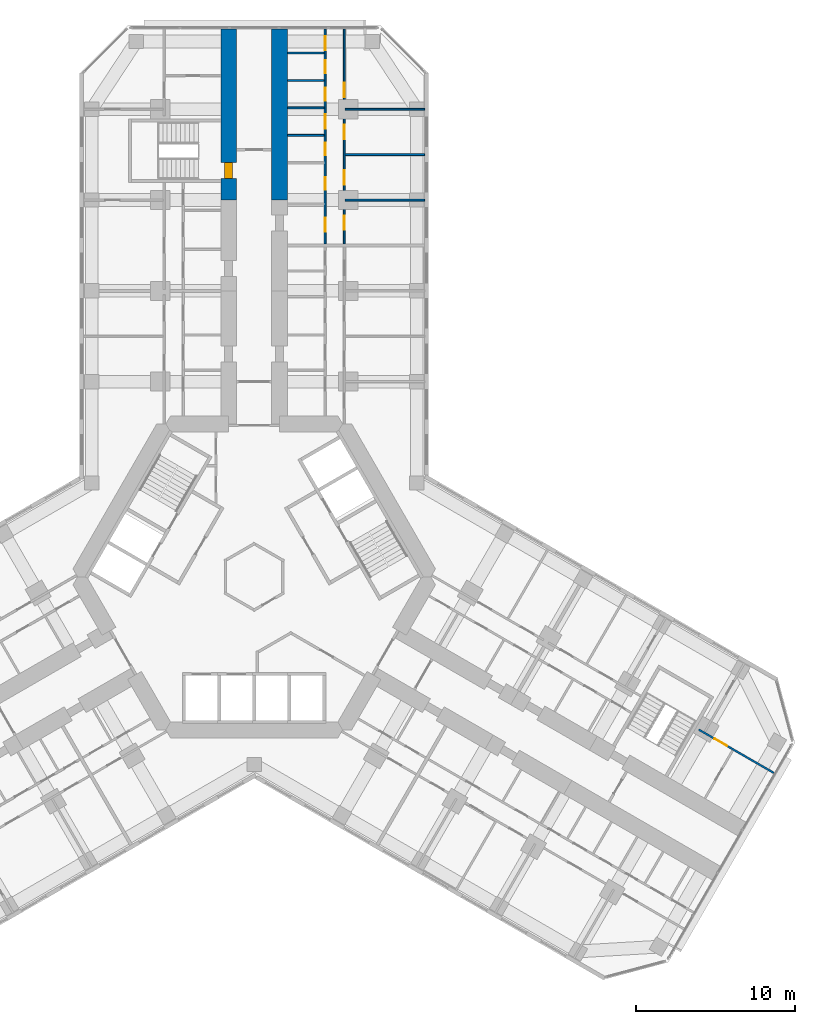
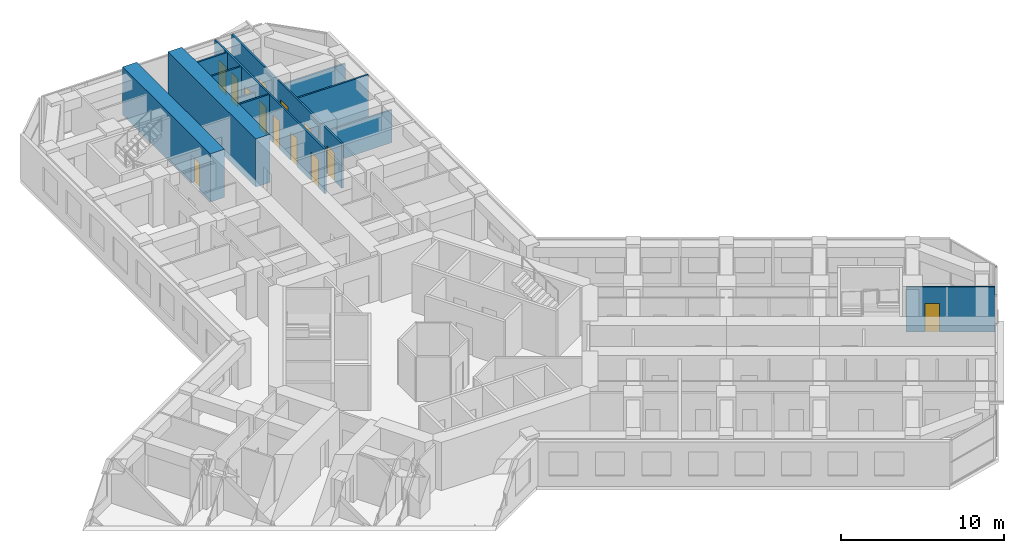
# One storey, part 19 of 21: 13 doors, 12 walls, 13 openings.
"""IFC4 building model written with IfcOpenShell, lengths in metres."""

from ifc_helpers import new_model, si_unit, direction, frame, frame_2d, origin, place, context, subcontext, project, spatial, rectangle, extrude, material, layer, layer_set, type_object, element, fill, save


model = new_model("IFC4")

# Units and contexts
model_context = context("Model", 3, precision=1e-05, world=origin(), true_north=direction((0.0, 1.0)))
body_context = subcontext(model_context, "Body", "Model", "MODEL_VIEW")
ifc_project = project(units=[si_unit("LENGTHUNIT", "METRE"), si_unit("AREAUNIT", "SQUARE_METRE"), si_unit("VOLUMEUNIT", "CUBIC_METRE"), si_unit("PLANEANGLEUNIT", "RADIAN"), si_unit("MASSUNIT", "GRAM", prefix="KILO")], contexts=[model_context])

# Site, building, storey
site_placement = place(None, origin())
site = spatial("IfcSite", under=ifc_project, at=site_placement, CompositionType="ELEMENT")
building_placement = place(site_placement, origin())
building = spatial("IfcBuilding", under=site, at=building_placement, Name="Kosmar Iwan School Tower", CompositionType="ELEMENT")
storey_placement = place(building_placement, frame((0.0, 0.0, 80.800048828125)))
storey = spatial("IfcBuildingStorey", under=building, at=storey_placement, Name="L19", CompositionType="ELEMENT", Elevation=80.800048828125)

# Wall, opening, door
ifc_material_1 = material(Name="Concrete C50/60", Category="concrete")
ifc_layer_1 = layer(ifc_material_1, 1.0)
ifc_layer_set_1 = layer_set([ifc_layer_1], Name="Corridor buttress wall 1000")
wall_type_1 = type_object("IfcWallType", Name="Corridor buttress wall 1000", PredefinedType="SHEAR", material=ifc_layer_set_1)
wall_1_placement = place(storey_placement, frame((-1.60009765625, 23.64990234375, 0.0), z_axis=(0.0, 0.0, 1.0), x_axis=(0.0, 1.0, 0.0)))
wall_1 = element("IfcWall", 1, at=wall_1_placement, inside=storey, type_object=wall_type_1, Name="Corridor wall AL bay 3", PredefinedType="SHEAR", context=body_context, shape_type="SweptSolid", body=[
    extrude(rectangle(XDim=10.7451171875, YDim=1.0, at=frame_2d((5.37255859375, 0.0))), origin(), (0.0, 0.0, 1.0), 3.599853515625),
])
opening_1_placement = place(wall_1_placement, frame((1.35009765625, 0.0, 0.0)))
opening_1 = element("IfcOpeningElement", 2, at=opening_1_placement, cuts=wall_1, Name="Opening D6", PredefinedType="OPENING", context=body_context, shape_type="SweptSolid", body=[
    extrude(rectangle(XDim=1.0, YDim=2.10009765625, at=frame_2d((0.5, 1.050048828125))), frame((0.0, 0.511962890625, 0.0), z_axis=(0.0, -1.0, 0.0), x_axis=(1.0, 0.0, 0.0)), (0.0, 0.0, 1.0), 1.02392578125),
])
ifc_material_2 = material(Name="Steel fire door", Category="steel")
door_type_1 = type_object("IfcDoorType", Name="Stair door 1000x2100", OperationType="SINGLE_SWING_LEFT", PredefinedType="DOOR", material=ifc_material_2)
door_1_placement = place(opening_1_placement, origin())
door_1 = element("IfcDoor", 3, at=door_1_placement, inside=storey, type_object=door_type_1, Name="Stair WS1 door L19", OperationType="SINGLE_SWING_LEFT", OverallHeight=2.10009765625, OverallWidth=1.0, PredefinedType="DOOR", context=body_context, shape_type="SweptSolid", body=[
    extrude(rectangle(XDim=1.0, YDim=2.10009765625, at=frame_2d((0.5, 1.050048828125))), frame((0.0, 0.25, 0.0), z_axis=(0.0, -1.0, 0.0), x_axis=(1.0, 0.0, 0.0)), (0.0, 0.0, 1.0), 0.5),
])
fill(opening_1, door_1)

# Wall
wall_2_placement = place(storey_placement, frame((1.60009765625, 23.64990234375, 0.0), z_axis=(0.0, 0.0, 1.0), x_axis=(0.0, 1.0, 0.0)))
element("IfcWall", 4, at=wall_2_placement, inside=storey, type_object=wall_type_1, Name="Corridor wall AR bay 3", PredefinedType="SHEAR", context=body_context, shape_type="SweptSolid", body=[
    extrude(rectangle(XDim=10.7451171875, YDim=1.0, at=frame_2d((5.37255859375, 0.0))), origin(), (0.0, 0.0, 1.0), 3.599853515625),
])

# Wall, openings, doors
ifc_material_3 = material(Name="Gypsum board on steel studs", Category="steel")
ifc_layer_2 = layer(ifc_material_3, 0.1201171875)
ifc_layer_set_2 = layer_set([ifc_layer_2], Name="Dwelling partition 120")
wall_type_2 = type_object("IfcWallType", Name="Dwelling partition 120", PredefinedType="PARTITIONING", material=ifc_layer_set_2)
wall_3_placement = place(storey_placement, frame((4.449951171875, 20.89990234375, 0.0), z_axis=(0.0, 0.0, 1.0), x_axis=(0.0, 1.0, 0.0)))
wall_3 = element("IfcWall", 5, at=wall_3_placement, inside=storey, type_object=wall_type_2, Name="Partition L19-AR2-W1", PredefinedType="PARTITIONING", context=body_context, shape_type="SweptSolid", body=[
    extrude(rectangle(XDim=13.4951171875, YDim=0.1201171875, at=frame_2d((6.74755859375, 0.0))), origin(), (0.0, 0.0, 1.0), 3.349853515625),
])
opening_2_placement = place(wall_3_placement, frame((0.75, 0.0, 0.0)))
opening_2 = element("IfcOpeningElement", 6, at=opening_2_placement, cuts=wall_3, Name="Opening D2", PredefinedType="OPENING", context=body_context, shape_type="SweptSolid", body=[
    extrude(rectangle(XDim=0.89990234375, YDim=2.10009765625, at=frame_2d((0.449951171875, 1.050048828125))), frame((0.0, 0.072021484375, 0.0), z_axis=(0.0, -1.0, 0.0), x_axis=(1.0, 0.0, 0.0)), (0.0, 0.0, 1.0), 0.14404296875),
])
opening_3_placement = place(wall_3_placement, frame((3.392333984375, 0.0, 0.0)))
opening_3 = element("IfcOpeningElement", 7, at=opening_3_placement, cuts=wall_3, Name="Opening D3", PredefinedType="OPENING", context=body_context, shape_type="SweptSolid", body=[
    extrude(rectangle(XDim=0.800048828125, YDim=2.10009765625, at=frame_2d((0.39990234375, 1.050048828125))), frame((0.0, 0.072021484375, 0.0), z_axis=(0.0, -1.0, 0.0), x_axis=(1.0, 0.0, 0.0)), (0.0, 0.0, 1.0), 0.14404296875),
])
opening_4_placement = place(wall_3_placement, frame((5.546142578125, 0.0, 0.0)))
opening_4 = element("IfcOpeningElement", 8, at=opening_4_placement, cuts=wall_3, Name="Opening D3", PredefinedType="OPENING", context=body_context, shape_type="SweptSolid", body=[
    extrude(rectangle(XDim=0.800048828125, YDim=2.10009765625, at=frame_2d((0.39990234375, 1.050048828125))), frame((0.0, 0.072021484375, 0.0), z_axis=(0.0, -1.0, 0.0), x_axis=(1.0, 0.0, 0.0)), (0.0, 0.0, 1.0), 0.14404296875),
])
opening_5_placement = place(wall_3_placement, frame((7.21923828125, 0.0, 0.0)))
opening_5 = element("IfcOpeningElement", 9, at=opening_5_placement, cuts=wall_3, Name="Opening D2", PredefinedType="OPENING", context=body_context, shape_type="SweptSolid", body=[
    extrude(rectangle(XDim=0.89990234375, YDim=2.10009765625, at=frame_2d((0.449951171875, 1.050048828125))), frame((0.0, 0.072021484375, 0.0), z_axis=(0.0, -1.0, 0.0), x_axis=(1.0, 0.0, 0.0)), (0.0, 0.0, 1.0), 0.14404296875),
])
opening_6_placement = place(wall_3_placement, frame((8.992431640625, 0.0, 0.0)))
opening_6 = element("IfcOpeningElement", 10, at=opening_6_placement, cuts=wall_3, Name="Opening D3", PredefinedType="OPENING", context=body_context, shape_type="SweptSolid", body=[
    extrude(rectangle(XDim=0.800048828125, YDim=2.10009765625, at=frame_2d((0.39990234375, 1.050048828125))), frame((0.0, 0.072021484375, 0.0), z_axis=(0.0, -1.0, 0.0), x_axis=(1.0, 0.0, 0.0)), (0.0, 0.0, 1.0), 0.14404296875),
])
opening_7_placement = place(wall_3_placement, frame((10.71533203125, 0.0, 0.0)))
opening_7 = element("IfcOpeningElement", 11, at=opening_7_placement, cuts=wall_3, Name="Opening D3", PredefinedType="OPENING", context=body_context, shape_type="SweptSolid", body=[
    extrude(rectangle(XDim=0.800048828125, YDim=2.10009765625, at=frame_2d((0.39990234375, 1.050048828125))), frame((0.0, 0.072021484375, 0.0), z_axis=(0.0, -1.0, 0.0), x_axis=(1.0, 0.0, 0.0)), (0.0, 0.0, 1.0), 0.14404296875),
])
opening_8_placement = place(wall_3_placement, frame((12.136962890625, 0.0, 0.0)))
opening_8 = element("IfcOpeningElement", 12, at=opening_8_placement, cuts=wall_3, Name="Opening D2", PredefinedType="OPENING", context=body_context, shape_type="SweptSolid", body=[
    extrude(rectangle(XDim=0.89990234375, YDim=2.10009765625, at=frame_2d((0.449951171875, 1.050048828125))), frame((0.0, 0.072021484375, 0.0), z_axis=(0.0, -1.0, 0.0), x_axis=(1.0, 0.0, 0.0)), (0.0, 0.0, 1.0), 0.14404296875),
])
ifc_material_4 = material(Name="Timber door in timber frame", Category="wood")
door_type_2 = type_object("IfcDoorType", Name="Internal door 900x2100", OperationType="SINGLE_SWING_LEFT", PredefinedType="DOOR", material=ifc_material_4)
door_2_placement = place(opening_2_placement, origin())
door_2 = element("IfcDoor", 13, at=door_2_placement, inside=storey, type_object=door_type_2, Name="Entrance hall door L19-AR2-S1", OperationType="SINGLE_SWING_LEFT", OverallHeight=2.10009765625, OverallWidth=0.89990234375, PredefinedType="DOOR", context=body_context, shape_type="SweptSolid", body=[
    extrude(rectangle(XDim=0.89990234375, YDim=2.10009765625, at=frame_2d((0.449951171875, 1.050048828125))), frame((0.0, 0.02490234375, 0.0), z_axis=(0.0, -1.0, 0.0), x_axis=(1.0, 0.0, 0.0)), (0.0, 0.0, 1.0), 0.050048828125),
])
fill(opening_2, door_2)
door_3_placement = place(opening_5_placement, origin())
door_3 = element("IfcDoor", 14, at=door_3_placement, inside=storey, type_object=door_type_2, Name="Pantry door L19-AR2-S4", OperationType="SINGLE_SWING_RIGHT", OverallHeight=2.10009765625, OverallWidth=0.89990234375, PredefinedType="DOOR", context=body_context, shape_type="SweptSolid", body=[
    extrude(rectangle(XDim=0.89990234375, YDim=2.10009765625, at=frame_2d((0.449951171875, 1.050048828125))), frame((0.0, 0.02490234375, 0.0), z_axis=(0.0, -1.0, 0.0), x_axis=(1.0, 0.0, 0.0)), (0.0, 0.0, 1.0), 0.050048828125),
])
fill(opening_5, door_3)
door_4_placement = place(opening_8_placement, origin())
door_4 = element("IfcDoor", 15, at=door_4_placement, inside=storey, type_object=door_type_2, Name="Utility room door L19-AR2-S7", OperationType="SINGLE_SWING_LEFT", OverallHeight=2.10009765625, OverallWidth=0.89990234375, PredefinedType="DOOR", context=body_context, shape_type="SweptSolid", body=[
    extrude(rectangle(XDim=0.89990234375, YDim=2.10009765625, at=frame_2d((0.449951171875, 1.050048828125))), frame((0.0, 0.02490234375, 0.0), z_axis=(0.0, -1.0, 0.0), x_axis=(1.0, 0.0, 0.0)), (0.0, 0.0, 1.0), 0.050048828125),
])
fill(opening_8, door_4)
ifc_material_5 = material(Name="Timber door in timber frame", Category="wood")
door_type_3 = type_object("IfcDoorType", Name="Sanitary room door 800x2100", OperationType="SINGLE_SWING_LEFT", PredefinedType="DOOR", material=ifc_material_5)
door_5_placement = place(opening_3_placement, origin())
door_5 = element("IfcDoor", 16, at=door_5_placement, inside=storey, type_object=door_type_3, Name="Bathroom door L19-AR2-S2", OperationType="SINGLE_SWING_RIGHT", OverallHeight=2.10009765625, OverallWidth=0.800048828125, PredefinedType="DOOR", context=body_context, shape_type="SweptSolid", body=[
    extrude(rectangle(XDim=0.800048828125, YDim=2.10009765625, at=frame_2d((0.39990234375, 1.050048828125))), frame((0.0, 0.02490234375, 0.0), z_axis=(0.0, -1.0, 0.0), x_axis=(1.0, 0.0, 0.0)), (0.0, 0.0, 1.0), 0.050048828125),
])
fill(opening_3, door_5)
door_6_placement = place(opening_4_placement, origin())
door_6 = element("IfcDoor", 17, at=door_6_placement, inside=storey, type_object=door_type_3, Name="Shower room door L19-AR2-S3", OperationType="SINGLE_SWING_LEFT", OverallHeight=2.10009765625, OverallWidth=0.800048828125, PredefinedType="DOOR", context=body_context, shape_type="SweptSolid", body=[
    extrude(rectangle(XDim=0.800048828125, YDim=2.10009765625, at=frame_2d((0.39990234375, 1.050048828125))), frame((0.0, 0.02490234375, 0.0), z_axis=(0.0, -1.0, 0.0), x_axis=(1.0, 0.0, 0.0)), (0.0, 0.0, 1.0), 0.050048828125),
])
fill(opening_4, door_6)
door_7_placement = place(opening_6_placement, origin())
door_7 = element("IfcDoor", 18, at=door_7_placement, inside=storey, type_object=door_type_3, Name="WC door L19-AR2-S5", OperationType="SINGLE_SWING_LEFT", OverallHeight=2.10009765625, OverallWidth=0.800048828125, PredefinedType="DOOR", context=body_context, shape_type="SweptSolid", body=[
    extrude(rectangle(XDim=0.800048828125, YDim=2.10009765625, at=frame_2d((0.39990234375, 1.050048828125))), frame((0.0, 0.02490234375, 0.0), z_axis=(0.0, -1.0, 0.0), x_axis=(1.0, 0.0, 0.0)), (0.0, 0.0, 1.0), 0.050048828125),
])
fill(opening_6, door_7)
door_8_placement = place(opening_7_placement, origin())
door_8 = element("IfcDoor", 19, at=door_8_placement, inside=storey, type_object=door_type_3, Name="Store door L19-AR2-S6", OperationType="SINGLE_SWING_RIGHT", OverallHeight=2.10009765625, OverallWidth=0.800048828125, PredefinedType="DOOR", context=body_context, shape_type="SweptSolid", body=[
    extrude(rectangle(XDim=0.800048828125, YDim=2.10009765625, at=frame_2d((0.39990234375, 1.050048828125))), frame((0.0, 0.02490234375, 0.0), z_axis=(0.0, -1.0, 0.0), x_axis=(1.0, 0.0, 0.0)), (0.0, 0.0, 1.0), 0.050048828125),
])
fill(opening_7, door_8)

wall_4_placement = place(storey_placement, frame((5.64990234375, 20.89990234375, 0.0), z_axis=(0.0, 0.0, 1.0), x_axis=(0.0, 1.0, 0.0)))
wall_4 = element("IfcWall", 20, at=wall_4_placement, inside=storey, type_object=wall_type_2, Name="Partition L19-AR2-W2", PredefinedType="PARTITIONING", context=body_context, shape_type="SweptSolid", body=[
    extrude(rectangle(XDim=13.4951171875, YDim=0.1201171875, at=frame_2d((6.74755859375, 0.0))), origin(), (0.0, 0.0, 1.0), 3.349853515625),
])
opening_9_placement = place(wall_4_placement, frame((0.875, 0.0, 0.0)))
opening_9 = element("IfcOpeningElement", 21, at=opening_9_placement, cuts=wall_4, Name="Opening D2", PredefinedType="OPENING", context=body_context, shape_type="SweptSolid", body=[
    extrude(rectangle(XDim=0.89990234375, YDim=2.10009765625, at=frame_2d((0.449951171875, 1.050048828125))), frame((0.0, 0.072021484375, 0.0), z_axis=(0.0, -1.0, 0.0), x_axis=(1.0, 0.0, 0.0)), (0.0, 0.0, 1.0), 0.14404296875),
])
opening_10_placement = place(wall_4_placement, frame((3.72509765625, 0.0, 0.0)))
opening_10 = element("IfcOpeningElement", 22, at=opening_10_placement, cuts=wall_4, Name="Opening D2", PredefinedType="OPENING", context=body_context, shape_type="SweptSolid", body=[
    extrude(rectangle(XDim=0.89990234375, YDim=2.10009765625, at=frame_2d((0.449951171875, 1.050048828125))), frame((0.0, 0.072021484375, 0.0), z_axis=(0.0, -1.0, 0.0), x_axis=(1.0, 0.0, 0.0)), (0.0, 0.0, 1.0), 0.14404296875),
])
opening_11_placement = place(wall_4_placement, frame((6.574951171875, 0.0, 0.0)))
opening_11 = element("IfcOpeningElement", 23, at=opening_11_placement, cuts=wall_4, Name="Opening D2", PredefinedType="OPENING", context=body_context, shape_type="SweptSolid", body=[
    extrude(rectangle(XDim=0.89990234375, YDim=2.10009765625, at=frame_2d((0.449951171875, 1.050048828125))), frame((0.0, 0.072021484375, 0.0), z_axis=(0.0, -1.0, 0.0), x_axis=(1.0, 0.0, 0.0)), (0.0, 0.0, 1.0), 0.14404296875),
])
opening_12_placement = place(wall_4_placement, frame((9.199951171875, 0.0, 0.0)))
opening_12 = element("IfcOpeningElement", 24, at=opening_12_placement, cuts=wall_4, Name="Opening D2", PredefinedType="OPENING", context=body_context, shape_type="SweptSolid", body=[
    extrude(rectangle(XDim=0.89990234375, YDim=2.10009765625, at=frame_2d((0.449951171875, 1.050048828125))), frame((0.0, 0.072021484375, 0.0), z_axis=(0.0, -1.0, 0.0), x_axis=(1.0, 0.0, 0.0)), (0.0, 0.0, 1.0), 0.14404296875),
])
door_9_placement = place(opening_9_placement, origin())
door_9 = element("IfcDoor", 25, at=door_9_placement, inside=storey, type_object=door_type_2, Name="Living room and kitchen door L19-AR2-F1", OperationType="SINGLE_SWING_LEFT", OverallHeight=2.10009765625, OverallWidth=0.89990234375, PredefinedType="DOOR", context=body_context, shape_type="SweptSolid", body=[
    extrude(rectangle(XDim=0.89990234375, YDim=2.10009765625, at=frame_2d((0.449951171875, 1.050048828125))), frame((0.0, 0.02490234375, 0.0), z_axis=(0.0, -1.0, 0.0), x_axis=(1.0, 0.0, 0.0)), (0.0, 0.0, 1.0), 0.050048828125),
])
fill(opening_9, door_9)
door_10_placement = place(opening_10_placement, origin())
door_10 = element("IfcDoor", 26, at=door_10_placement, inside=storey, type_object=door_type_2, Name="Bedroom 1 door L19-AR2-F2", OperationType="SINGLE_SWING_LEFT", OverallHeight=2.10009765625, OverallWidth=0.89990234375, PredefinedType="DOOR", context=body_context, shape_type="SweptSolid", body=[
    extrude(rectangle(XDim=0.89990234375, YDim=2.10009765625, at=frame_2d((0.449951171875, 1.050048828125))), frame((0.0, 0.02490234375, 0.0), z_axis=(0.0, -1.0, 0.0), x_axis=(1.0, 0.0, 0.0)), (0.0, 0.0, 1.0), 0.050048828125),
])
fill(opening_10, door_10)
door_11_placement = place(opening_11_placement, origin())
door_11 = element("IfcDoor", 27, at=door_11_placement, inside=storey, type_object=door_type_2, Name="Bedroom 2 door L19-AR2-F3", OperationType="SINGLE_SWING_RIGHT", OverallHeight=2.10009765625, OverallWidth=0.89990234375, PredefinedType="DOOR", context=body_context, shape_type="SweptSolid", body=[
    extrude(rectangle(XDim=0.89990234375, YDim=2.10009765625, at=frame_2d((0.449951171875, 1.050048828125))), frame((0.0, 0.02490234375, 0.0), z_axis=(0.0, -1.0, 0.0), x_axis=(1.0, 0.0, 0.0)), (0.0, 0.0, 1.0), 0.050048828125),
])
fill(opening_11, door_11)
door_12_placement = place(opening_12_placement, origin())
door_12 = element("IfcDoor", 28, at=door_12_placement, inside=storey, type_object=door_type_2, Name="Winter garden door L19-AR2-F4", OperationType="SINGLE_SWING_RIGHT", OverallHeight=2.10009765625, OverallWidth=0.89990234375, PredefinedType="DOOR", context=body_context, shape_type="SweptSolid", body=[
    extrude(rectangle(XDim=0.89990234375, YDim=2.10009765625, at=frame_2d((0.449951171875, 1.050048828125))), frame((0.0, 0.02490234375, 0.0), z_axis=(0.0, -1.0, 0.0), x_axis=(1.0, 0.0, 0.0)), (0.0, 0.0, 1.0), 0.050048828125),
])
fill(opening_12, door_12)

# Walls
wall_5_placement = place(storey_placement, frame((5.7099609375, 23.64990234375, 0.0), z_axis=(0.0, 0.0, 1.0), x_axis=(1.0, 0.0, 0.0)))
element("IfcWall", 29, at=wall_5_placement, inside=storey, type_object=wall_type_2, Name="Partition L19-AR2-X1", PredefinedType="PARTITIONING", context=body_context, shape_type="SweptSolid", body=[
    extrude(rectangle(XDim=4.989990234375, YDim=0.1201171875, at=frame_2d((2.4951171875, 0.0))), origin(), (0.0, 0.0, 1.0), 2.449951171875),
])
wall_6_placement = place(storey_placement, frame((5.7099609375, 26.5, 0.0), z_axis=(0.0, 0.0, 1.0), x_axis=(1.0, 0.0, 0.0)))
element("IfcWall", 30, at=wall_6_placement, inside=storey, type_object=wall_type_2, Name="Partition L19-AR2-X2", PredefinedType="PARTITIONING", context=body_context, shape_type="SweptSolid", body=[
    extrude(rectangle(XDim=4.989990234375, YDim=0.1201171875, at=frame_2d((2.4951171875, 0.0))), origin(), (0.0, 0.0, 1.0), 3.349853515625),
])
wall_7_placement = place(storey_placement, frame((5.7099609375, 29.35009765625, 0.0), z_axis=(0.0, 0.0, 1.0), x_axis=(1.0, 0.0, 0.0)))
element("IfcWall", 31, at=wall_7_placement, inside=storey, type_object=wall_type_2, Name="Partition L19-AR2-X3", PredefinedType="PARTITIONING", context=body_context, shape_type="SweptSolid", body=[
    extrude(rectangle(XDim=4.989990234375, YDim=0.1201171875, at=frame_2d((2.4951171875, 0.0))), origin(), (0.0, 0.0, 1.0), 2.449951171875),
])
wall_8_placement = place(storey_placement, frame((2.10009765625, 27.707763671875, 0.0), z_axis=(0.0, 0.0, 1.0), x_axis=(1.0, 0.0, 0.0)))
element("IfcWall", 32, at=wall_8_placement, inside=storey, type_object=wall_type_2, Name="Partition L19-AR2-Y3", PredefinedType="PARTITIONING", context=body_context, shape_type="SweptSolid", body=[
    extrude(rectangle(XDim=2.289794921875, YDim=0.1201171875, at=frame_2d((1.14501953125, 0.0))), origin(), (0.0, 0.0, 1.0), 3.349853515625),
])
wall_9_placement = place(storey_placement, frame((2.10009765625, 29.4306640625, 0.0), z_axis=(0.0, 0.0, 1.0), x_axis=(1.0, 0.0, 0.0)))
element("IfcWall", 33, at=wall_9_placement, inside=storey, type_object=wall_type_2, Name="Partition L19-AR2-Y4", PredefinedType="PARTITIONING", context=body_context, shape_type="SweptSolid", body=[
    extrude(rectangle(XDim=2.289794921875, YDim=0.1201171875, at=frame_2d((1.14501953125, 0.0))), origin(), (0.0, 0.0, 1.0), 2.449951171875),
])
for number, where, z_axis, x_axis, name in (
    (34, (2.10009765625, 31.15380859375, 0.0), (0.0, 0.0, 1.0), (1.0, 0.0, 0.0), "Partition L19-AR2-Y5"),
    (35, (2.10009765625, 32.876953125, 0.0), (0.0, 0.0, 1.0), (1.0, 0.0, 0.0), "Partition L19-AR2-Y6"),
):
    element("IfcWall", number, at=place(storey_placement, frame(where, z_axis=z_axis, x_axis=x_axis)), inside=storey, type_object=wall_type_2, Name=name, PredefinedType="PARTITIONING", context=body_context, shape_type="SweptSolid", body=[
        extrude(rectangle(XDim=2.289794921875, YDim=0.1201171875, at=frame_2d((1.14501953125, 0.0))), origin(), (0.0, 0.0, 1.0), 3.349853515625),
    ])

# Wall, opening, door
wall_10_placement = place(storey_placement, frame((27.896484375, -9.58203125, 0.0), z_axis=(0.0, 0.0, 1.0), x_axis=(0.866035508231, -0.499982498177, 0.0)))
wall_10 = element("IfcWall", 36, at=wall_10_placement, inside=storey, type_object=wall_type_2, Name="Partition L19-CL2-TW", PredefinedType="PARTITIONING", context=body_context, shape_type="SweptSolid", body=[
    extrude(rectangle(XDim=5.445068359375, YDim=0.1201171875, at=frame_2d((2.72265625, 0.0))), origin(), (0.0, 0.0, 1.0), 3.349853515625),
])
opening_13_placement = place(wall_10_placement, frame((1.14990234375, 0.0, 0.0)))
opening_13 = element("IfcOpeningElement", 37, at=opening_13_placement, cuts=wall_10, Name="Opening D2", PredefinedType="OPENING", context=body_context, shape_type="SweptSolid", body=[
    extrude(rectangle(XDim=0.89990234375, YDim=2.10009765625, at=frame_2d((0.449951171875, 1.050048828125))), frame((0.0, 0.072021484375, 0.0), z_axis=(0.0, -1.0, 0.0), x_axis=(1.0, 0.0, 0.0)), (0.0, 0.0, 1.0), 0.14404296875),
])
door_13_placement = place(opening_13_placement, origin())
door_13 = element("IfcDoor", 38, at=door_13_placement, inside=storey, type_object=door_type_2, Name="Dressing room door L19-CL2-T3", OperationType="SINGLE_SWING_LEFT", OverallHeight=2.10009765625, OverallWidth=0.89990234375, PredefinedType="DOOR", context=body_context, shape_type="SweptSolid", body=[
    extrude(rectangle(XDim=0.89990234375, YDim=2.10009765625, at=frame_2d((0.449951171875, 1.050048828125))), frame((0.0, 0.02490234375, 0.0), z_axis=(0.0, -1.0, 0.0), x_axis=(1.0, 0.0, 0.0)), (0.0, 0.0, 1.0), 0.050048828125),
])
fill(opening_13, door_13)

save(model, "model.ifc")
